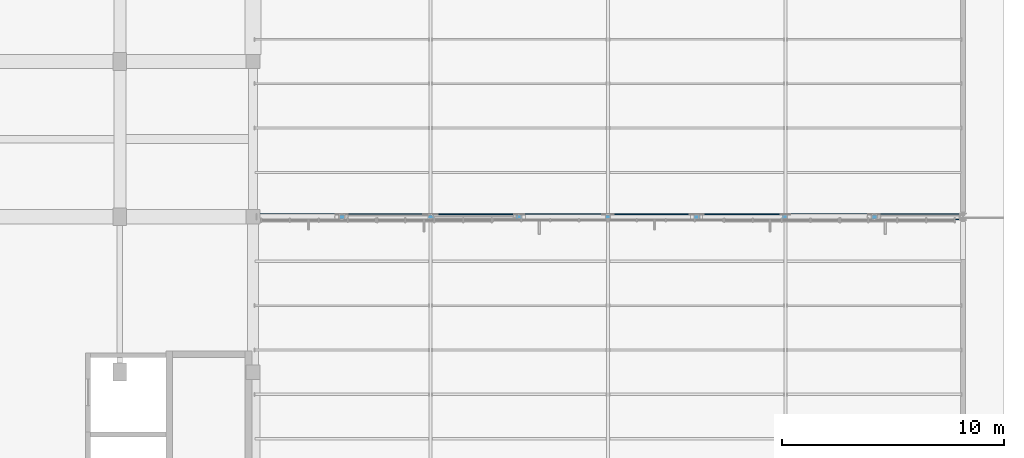
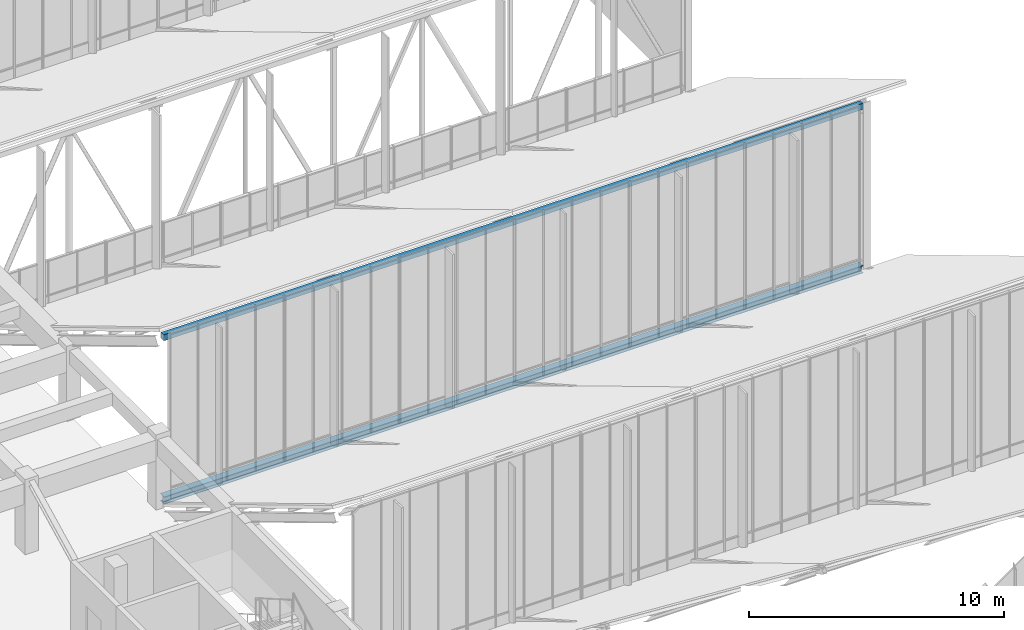
# One storey, part 54 of 155: 2 members.
"""IFC4 building model written with IfcOpenShell, lengths in metres."""

from ifc_helpers import new_model, si_unit, direction, frame, origin, origin_2d, place, context, subcontext, project, spatial, hollow_rectangle, i_section, extrude, material, material_profile, profile_set, type_object, element, save


model = new_model("IFC4")

# Units and contexts
model_context = context("Model", 3, precision=1e-05, world=origin(), true_north=direction((0.0, 1.0)))
body_context = subcontext(model_context, "Body", "Model", "MODEL_VIEW")
ifc_project = project(units=[si_unit("LENGTHUNIT", "METRE"), si_unit("AREAUNIT", "SQUARE_METRE"), si_unit("VOLUMEUNIT", "CUBIC_METRE"), si_unit("PLANEANGLEUNIT", "RADIAN"), si_unit("MASSUNIT", "GRAM", prefix="KILO")], contexts=[model_context])

# Site, building, storey
site_placement = place(None, origin())
site = spatial("IfcSite", under=ifc_project, at=site_placement, CompositionType="ELEMENT")
building_placement = place(site_placement, origin())
building = spatial("IfcBuilding", under=site, at=building_placement, Name="Larkveld Mobility Hub", CompositionType="ELEMENT")
storey_placement = place(building_placement, frame((0.0, 0.0, 8.39990234375)))
storey = spatial("IfcBuildingStorey", under=building, at=storey_placement, Name="L02", CompositionType="ELEMENT", Elevation=8.39990234375)

# Members
ifc_material = material(Name="Steel S355JR", Category="steel")
ifc_material_profile_1 = material_profile(ifc_material, i_section(OverallWidth=0.300048828125, OverallDepth=0.360107421875, WebThickness=0.012451171875, FlangeThickness=0.0224609375, FilletRadius=0.027099609375, at=origin_2d()), Name="HEB 360")
ifc_profile_set_1 = profile_set([ifc_material_profile_1], Name="Steel S355JR")
member_type_1 = type_object("IfcMemberType", Name="MB-CH-HEB360", PredefinedType="CHORD", material=ifc_profile_set_1)
member_1_placement = place(storey_placement, frame((152.159912109375, 70.0, 0.18017578125), z_axis=(1.0, 0.0, 0.0), x_axis=(0.0, 1.0, 0.0)))
element("IfcMember", 1, at=member_1_placement, inside=storey, type_object=member_type_1, Name="ROOF TRUSS T4 Bottom Chord", PredefinedType="CHORD", context=body_context, shape_type="SweptSolid", body=[
    extrude(i_section(OverallWidth=0.300048828125, OverallDepth=0.360107421875, WebThickness=0.012451171875, FlangeThickness=0.0224609375, FilletRadius=0.027099609375, at=origin_2d()), origin(), (0.0, 0.0, 1.0), 31.68017578125),
])
ifc_material_profile_2 = material_profile(ifc_material, hollow_rectangle(XDim=0.199951171875, YDim=0.300048828125, WallThickness=0.012451171875, at=origin_2d()), Name="RHS 300x200x12.5")
ifc_profile_set_2 = profile_set([ifc_material_profile_2], Name="Steel S355JR")
member_type_2 = type_object("IfcMemberType", Name="MB-CH-RHS300", PredefinedType="CHORD", material=ifc_profile_set_2)
member_2_placement = place(storey_placement, frame((152.159912109375, 70.0, 7.9501953125), z_axis=(1.0, 0.0, 0.0), x_axis=(0.0, 1.0, 0.0)))
element("IfcMember", 2, at=member_2_placement, inside=storey, type_object=member_type_2, Name="ROOF TRUSS T4 Top Chord", PredefinedType="CHORD", context=body_context, shape_type="SweptSolid", body=[
    extrude(hollow_rectangle(XDim=0.199951171875, YDim=0.300048828125, WallThickness=0.012451171875, at=origin_2d()), origin(), (0.0, 0.0, 1.0), 31.68017578125),
])

save(model, "model.ifc")
